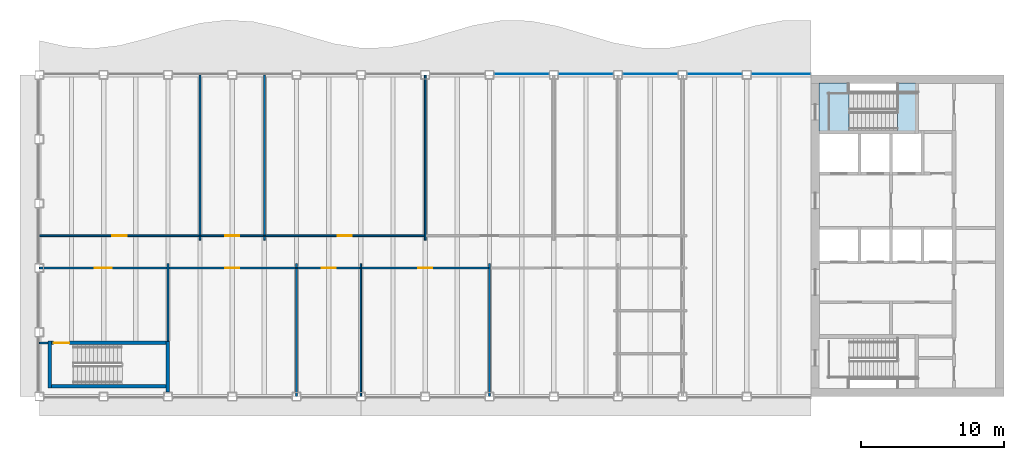
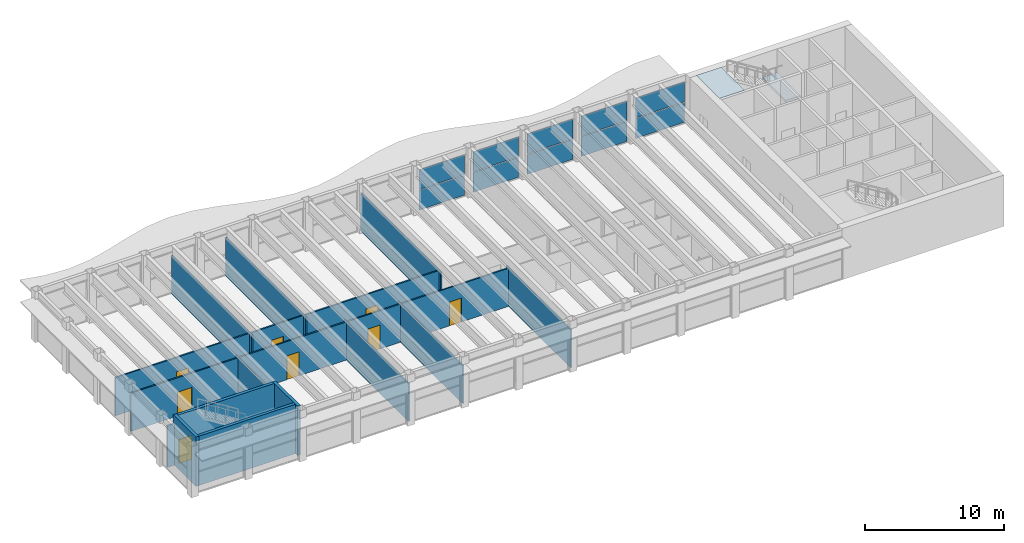
# One storey, part 8 of 14: 19 walls, 10 plates, 8 doors, 2 slabs, 8 openings, 6 elements without a shape of their own.
"""IFC4 building model written with IfcOpenShell, lengths in metres."""

from ifc_helpers import new_model, si_unit, direction, frame, frame_2d, origin, origin_2d, place, context, subcontext, project, spatial, polyline, rectangle, outline, extrude, material, layer, layer_set, type_object, element, fill, aggregate, save


model = new_model("IFC4")

# Units and contexts
model_context = context("Model", 3, precision=1e-05, world=origin(), true_north=direction((0.0, 1.0)))
body_context = subcontext(model_context, "Body", "Model", "MODEL_VIEW")
ifc_project = project(units=[si_unit("LENGTHUNIT", "METRE"), si_unit("AREAUNIT", "SQUARE_METRE"), si_unit("VOLUMEUNIT", "CUBIC_METRE"), si_unit("PLANEANGLEUNIT", "RADIAN"), si_unit("MASSUNIT", "GRAM", prefix="KILO")], contexts=[model_context])

# Site, building, storey
site_placement = place(None, origin())
site = spatial("IfcSite", under=ifc_project, at=site_placement, CompositionType="ELEMENT")
building_placement = place(site_placement, origin())
building = spatial("IfcBuilding", under=site, at=building_placement, Name="Sennacour Bend Tower", CompositionType="ELEMENT")
storey_placement = place(building_placement, frame((0.0, 0.0, 309.5)))
storey = spatial("IfcBuildingStorey", under=building, at=storey_placement, Name="L71", CompositionType="ELEMENT", Elevation=309.5)

# Curtain wall, plates
ifc_material_1 = material(Name="Bronze anodised aluminium curtain wall with clear glass", Category="aluminium")
curtain_wall_type = type_object("IfcCurtainWallType", Name="CURTAIN WALL EXEC", PredefinedType="NOTDEFINED", material=ifc_material_1)
curtain_wall_1_placement = place(storey_placement, origin())
curtain_wall_1 = element("IfcCurtainWall", 1, at=curtain_wall_1_placement, inside=storey, type_object=curtain_wall_type, Name="Executive floor glass wall L71", PredefinedType="NOTDEFINED")
ifc_material_2 = material(Name="Clear low-emissivity glass", Category="glass")
ifc_layer_1 = layer(ifc_material_2, 0.031982421875, Name="Clear low-emissivity glass", Category="glass")
ifc_layer_set_1 = layer_set([ifc_layer_1], Name="Clear low-emissivity glass")
plate_type = type_object("IfcPlateType", Name="PNL-GLASS-IGU32", PredefinedType="CURTAIN_PANEL", material=ifc_layer_set_1)
plate_1_placement = place(storey_placement, frame((51.89990234375, 22.574951171875, 0.06005859375), z_axis=(0.0, 0.0, 1.0), x_axis=(-1.0, 0.0, 0.0)))
plate_1 = element("IfcPlate", 2, at=plate_1_placement, type_object=plate_type, Name="GW3 curtain wall panel 1.1", PredefinedType="CURTAIN_PANEL", context=body_context, shape_type="SweptSolid", body=[
    extrude(rectangle(XDim=4.080078125, YDim=0.031982421875, at=origin_2d()), origin(), (0.0, 0.0, 1.0), 1.74609375),
])
plate_2_placement = place(storey_placement, frame((51.89990234375, 22.574951171875, 1.865966796875), z_axis=(0.0, 0.0, 1.0), x_axis=(-1.0, 0.0, 0.0)))
plate_2 = element("IfcPlate", 3, at=plate_2_placement, type_object=plate_type, Name="GW3 curtain wall panel 1.2", PredefinedType="CURTAIN_PANEL", context=body_context, shape_type="SweptSolid", body=[
    extrude(rectangle(XDim=4.080078125, YDim=0.031982421875, at=origin_2d()), origin(), (0.0, 0.0, 1.0), 1.74609375),
])
aggregate(curtain_wall_1, [plate_1, plate_2])

curtain_wall_2_placement = place(storey_placement, origin())
curtain_wall_2 = element("IfcCurtainWall", 4, at=curtain_wall_2_placement, inside=storey, type_object=curtain_wall_type, Name="Executive floor glass wall L71", PredefinedType="NOTDEFINED")
plate_3_placement = place(storey_placement, frame((47.25, 22.574951171875, 0.06005859375), z_axis=(0.0, 0.0, 1.0), x_axis=(-1.0, 0.0, 0.0)))
plate_3 = element("IfcPlate", 5, at=plate_3_placement, type_object=plate_type, Name="GW3 curtain wall panel 1.1", PredefinedType="CURTAIN_PANEL", context=body_context, shape_type="SweptSolid", body=[
    extrude(rectangle(XDim=3.780029296875, YDim=0.031982421875, at=origin_2d()), origin(), (0.0, 0.0, 1.0), 1.74609375),
])
plate_4_placement = place(storey_placement, frame((47.25, 22.574951171875, 1.865966796875), z_axis=(0.0, 0.0, 1.0), x_axis=(-1.0, 0.0, 0.0)))
plate_4 = element("IfcPlate", 6, at=plate_4_placement, type_object=plate_type, Name="GW3 curtain wall panel 1.2", PredefinedType="CURTAIN_PANEL", context=body_context, shape_type="SweptSolid", body=[
    extrude(rectangle(XDim=3.780029296875, YDim=0.031982421875, at=origin_2d()), origin(), (0.0, 0.0, 1.0), 1.74609375),
])
aggregate(curtain_wall_2, [plate_3, plate_4])

curtain_wall_3_placement = place(storey_placement, origin())
curtain_wall_3 = element("IfcCurtainWall", 7, at=curtain_wall_3_placement, inside=storey, type_object=curtain_wall_type, Name="Executive floor glass wall L71", PredefinedType="NOTDEFINED")
plate_5_placement = place(storey_placement, frame((42.75, 22.574951171875, 0.06005859375), z_axis=(0.0, 0.0, 1.0), x_axis=(-1.0, 0.0, 0.0)))
plate_5 = element("IfcPlate", 8, at=plate_5_placement, type_object=plate_type, Name="GW3 curtain wall panel 1.1", PredefinedType="CURTAIN_PANEL", context=body_context, shape_type="SweptSolid", body=[
    extrude(rectangle(XDim=3.780029296875, YDim=0.031982421875, at=origin_2d()), origin(), (0.0, 0.0, 1.0), 1.74609375),
])
plate_6_placement = place(storey_placement, frame((42.75, 22.574951171875, 1.865966796875), z_axis=(0.0, 0.0, 1.0), x_axis=(-1.0, 0.0, 0.0)))
plate_6 = element("IfcPlate", 9, at=plate_6_placement, type_object=plate_type, Name="GW3 curtain wall panel 1.2", PredefinedType="CURTAIN_PANEL", context=body_context, shape_type="SweptSolid", body=[
    extrude(rectangle(XDim=3.780029296875, YDim=0.031982421875, at=origin_2d()), origin(), (0.0, 0.0, 1.0), 1.74609375),
])
aggregate(curtain_wall_3, [plate_5, plate_6])

curtain_wall_4_placement = place(storey_placement, origin())
curtain_wall_4 = element("IfcCurtainWall", 10, at=curtain_wall_4_placement, inside=storey, type_object=curtain_wall_type, Name="Executive floor glass wall L71", PredefinedType="NOTDEFINED")
plate_7_placement = place(storey_placement, frame((38.25, 22.574951171875, 0.06005859375), z_axis=(0.0, 0.0, 1.0), x_axis=(-1.0, 0.0, 0.0)))
plate_7 = element("IfcPlate", 11, at=plate_7_placement, type_object=plate_type, Name="GW3 curtain wall panel 1.1", PredefinedType="CURTAIN_PANEL", context=body_context, shape_type="SweptSolid", body=[
    extrude(rectangle(XDim=3.780029296875, YDim=0.031982421875, at=origin_2d()), origin(), (0.0, 0.0, 1.0), 1.74609375),
])
plate_8_placement = place(storey_placement, frame((38.25, 22.574951171875, 1.865966796875), z_axis=(0.0, 0.0, 1.0), x_axis=(-1.0, 0.0, 0.0)))
plate_8 = element("IfcPlate", 12, at=plate_8_placement, type_object=plate_type, Name="GW3 curtain wall panel 1.2", PredefinedType="CURTAIN_PANEL", context=body_context, shape_type="SweptSolid", body=[
    extrude(rectangle(XDim=3.780029296875, YDim=0.031982421875, at=origin_2d()), origin(), (0.0, 0.0, 1.0), 1.74609375),
])
aggregate(curtain_wall_4, [plate_7, plate_8])

curtain_wall_5_placement = place(storey_placement, origin())
curtain_wall_5 = element("IfcCurtainWall", 13, at=curtain_wall_5_placement, inside=storey, type_object=curtain_wall_type, Name="Executive floor glass wall L71", PredefinedType="NOTDEFINED")
plate_9_placement = place(storey_placement, frame((33.75, 22.574951171875, 0.06005859375), z_axis=(0.0, 0.0, 1.0), x_axis=(-1.0, 0.0, 0.0)))
plate_9 = element("IfcPlate", 14, at=plate_9_placement, type_object=plate_type, Name="GW3 curtain wall panel 1.1", PredefinedType="CURTAIN_PANEL", context=body_context, shape_type="SweptSolid", body=[
    extrude(rectangle(XDim=3.780029296875, YDim=0.031982421875, at=origin_2d()), origin(), (0.0, 0.0, 1.0), 1.74609375),
])
plate_10_placement = place(storey_placement, frame((33.75, 22.574951171875, 1.865966796875), z_axis=(0.0, 0.0, 1.0), x_axis=(-1.0, 0.0, 0.0)))
plate_10 = element("IfcPlate", 15, at=plate_10_placement, type_object=plate_type, Name="GW3 curtain wall panel 1.2", PredefinedType="CURTAIN_PANEL", context=body_context, shape_type="SweptSolid", body=[
    extrude(rectangle(XDim=3.780029296875, YDim=0.031982421875, at=origin_2d()), origin(), (0.0, 0.0, 1.0), 1.74609375),
])
aggregate(curtain_wall_5, [plate_9, plate_10])

# Slab
ifc_material_3 = material(Name="Concrete C40/50", Category="concrete")
ifc_layer_2 = layer(ifc_material_3, 0.034912109375, Name="Concrete C40/50", Category="concrete")
ifc_layer_set_2 = layer_set([ifc_layer_2], Name="Concrete C40/50")
slab_type_1 = type_object("IfcSlabType", Name="Stair arrival nib 35", PredefinedType="FLOOR", material=ifc_layer_set_2)
slab_1_placement = place(storey_placement, frame((0.0, 0.0, 4.315185546875)))
element("IfcSlab", 16, at=slab_1_placement, inside=storey, type_object=slab_type_1, Name="L71 SA2 stair arrival nib", PredefinedType="FLOOR", context=body_context, shape_type="SweptSolid", body=[
    extrude(outline(polyline([(56.64208984375, 21.949951171875), (54.550048828125, 21.949951171875), (54.550048828125, 18.574951171875), (56.64208984375, 18.574951171875), (56.64208984375, 21.949951171875)])), origin(), (0.0, 0.0, 1.0), 0.034912109375),
])

# Stair, slab
stair_type = type_object("IfcStairType", Name="ST-DOGLEG", PredefinedType="HALF_TURN_STAIR", material=ifc_material_3)
stair_placement = place(storey_placement, origin())
stair = element("IfcStair", 17, at=stair_placement, inside=storey, type_object=stair_type, Name="L71 Exit stair A2", PredefinedType="HALF_TURN_STAIR")
ifc_layer_3 = layer(ifc_material_3, 0.199951171875, Name="Concrete C40/50", Category="concrete")
ifc_layer_set_3 = layer_set([ifc_layer_3], Name="Concrete C40/50")
slab_type_2 = type_object("IfcSlabType", Name="Stair landing 200", PredefinedType="LANDING", material=ifc_layer_set_3)
slab_2_placement = place(storey_placement, frame((0.0, 0.0, 2.050048828125)))
slab_2 = element("IfcSlab", 18, at=slab_2_placement, type_object=slab_type_2, Name="SA2 landing 1", PredefinedType="LANDING", context=body_context, shape_type="SweptSolid", body=[
    extrude(outline(polyline([(60.06005859375, 18.574951171875), (61.324951171875, 18.574951171875), (61.324951171875, 21.949951171875), (60.06005859375, 21.949951171875), (60.06005859375, 18.574951171875)])), origin(), (0.0, 0.0, 1.0), 0.199951171875),
])
aggregate(stair, [slab_2])

# Walls
ifc_material_4 = material(Name="Plasterboard partition on steel studs", Category="steel")
ifc_layer_4 = layer(ifc_material_4, 0.1201171875, Name="Plasterboard partition on steel studs", Category="steel")
ifc_layer_set_4 = layer_set([ifc_layer_4], Name="Plasterboard partition on steel studs")
wall_type_1 = type_object("IfcWallType", Name="Partition 120", PredefinedType="PARTITIONING", material=ifc_layer_set_4)
wall_1_placement = place(storey_placement, frame((9.0, 3.875, 0.0), z_axis=(0.0, 0.0, 1.0), x_axis=(0.0, 1.0, 0.0)))
element("IfcWall", 19, at=wall_1_placement, inside=storey, type_object=wall_type_1, Name="P-L71-W005a", PredefinedType="PARTITIONING", context=body_context, shape_type="SweptSolid", body=[
    extrude(rectangle(XDim=5.425048828125, YDim=0.1201171875, at=frame_2d((2.71240234375, 0.0))), origin(), (0.0, 0.0, 1.0), 3.35888671875),
])
for number, where, z_axis, x_axis, name in (
    (20, (11.25, 10.949951171875, 0.0), (0.0, 0.0, 1.0), (0.0, 1.0, 0.0), "P-L71-W006a"),
    (21, (15.75, 10.949951171875, 0.0), (0.0, 0.0, 1.0), (0.0, 1.0, 0.0), "P-L71-W007a"),
):
    element("IfcWall", number, at=place(storey_placement, frame(where, z_axis=z_axis, x_axis=x_axis)), inside=storey, type_object=wall_type_1, Name=name, PredefinedType="PARTITIONING", context=body_context, shape_type="SweptSolid", body=[
        extrude(rectangle(XDim=11.5400390625, YDim=0.1201171875, at=frame_2d((5.77001953125, 0.0))), origin(), (0.0, 0.0, 1.0), 3.35888671875),
    ])
for number, where, z_axis, x_axis, name in (
    (22, (18.0, 0.010009765625, 0.0), (0.0, 0.0, 1.0), (0.0, 1.0, 0.0), "P-L71-W008a"),
    (23, (22.5, 0.010009765625, 0.0), (0.0, 0.0, 1.0), (0.0, 1.0, 0.0), "P-L71-W009a"),
):
    element("IfcWall", number, at=place(storey_placement, frame(where, z_axis=z_axis, x_axis=x_axis)), inside=storey, type_object=wall_type_1, Name=name, PredefinedType="PARTITIONING", context=body_context, shape_type="SweptSolid", body=[
        extrude(rectangle(XDim=9.2900390625, YDim=0.1201171875, at=frame_2d((4.64501953125, 0.0))), origin(), (0.0, 0.0, 1.0), 3.35888671875),
    ])
wall_2_placement = place(storey_placement, frame((27.0, 10.949951171875, 0.0), z_axis=(0.0, 0.0, 1.0), x_axis=(0.0, 1.0, 0.0)))
element("IfcWall", 24, at=wall_2_placement, inside=storey, type_object=wall_type_1, Name="P-L71-W010a", PredefinedType="PARTITIONING", context=body_context, shape_type="SweptSolid", body=[
    extrude(rectangle(XDim=11.5400390625, YDim=0.1201171875, at=frame_2d((5.77001953125, 0.0))), origin(), (0.0, 0.0, 1.0), 3.35888671875),
])
wall_3_placement = place(storey_placement, frame((31.5, 0.010009765625, 0.0), z_axis=(0.0, 0.0, 1.0), x_axis=(0.0, 1.0, 0.0)))
element("IfcWall", 25, at=wall_3_placement, inside=storey, type_object=wall_type_1, Name="P-L71-W011a", PredefinedType="PARTITIONING", context=body_context, shape_type="SweptSolid", body=[
    extrude(rectangle(XDim=9.2900390625, YDim=0.1201171875, at=frame_2d((4.64501953125, 0.0))), origin(), (0.0, 0.0, 1.0), 3.35888671875),
])
wall_4_placement = place(storey_placement, frame((0.010009765625, 3.75, 0.0), z_axis=(0.0, 0.0, 1.0), x_axis=(1.0, 0.0, 0.0)))
element("IfcWall", 26, at=wall_4_placement, inside=storey, type_object=wall_type_1, Name="P-L71-W033a", PredefinedType="PARTITIONING", context=body_context, shape_type="SweptSolid", body=[
    extrude(rectangle(XDim=0.590087890625, YDim=0.1201171875, at=frame_2d((0.294921875, 0.0))), origin(), (0.0, 0.0, 1.0), 3.672119140625),
])

# Wall, opening, door
wall_5_placement = place(storey_placement, frame((9.06005859375, 9.0, 0.0), z_axis=(0.0, 0.0, 1.0), x_axis=(1.0, 0.0, 0.0)))
wall_5 = element("IfcWall", 27, at=wall_5_placement, inside=storey, type_object=wall_type_1, Name="P-L71-W039ab", PredefinedType="PARTITIONING", context=body_context, shape_type="SweptSolid", body=[
    extrude(rectangle(XDim=8.8798828125, YDim=0.1201171875, at=frame_2d((4.43994140625, 0.0))), origin(), (0.0, 0.0, 1.0), 3.35888671875),
])
opening_1_placement = place(wall_5_placement, frame((3.93994140625, 0.0, 0.0)))
opening_1 = element("IfcOpeningElement", 28, at=opening_1_placement, cuts=wall_5, Name="Opening OD2", PredefinedType="OPENING", context=body_context, shape_type="SweptSolid", body=[
    extrude(rectangle(XDim=1.0, YDim=2.10009765625, at=frame_2d((0.5, 1.050048828125))), frame((0.0, 0.070068359375, 0.0), z_axis=(0.0, -1.0, 0.0), x_axis=(1.0, 0.0, 0.0)), (0.0, 0.0, 1.0), 0.14013671875),
])
ifc_material_5 = material(Name="Timber", Category="wood")
door_type_1 = type_object("IfcDoorType", Name="DR-OFFICE-1000", OperationType="NOTDEFINED", PredefinedType="DOOR", material=ifc_material_5)
door_1_placement = place(opening_1_placement, origin())
door_1 = element("IfcDoor", 29, at=door_1_placement, inside=storey, type_object=door_type_1, Name="Door", OperationType="SINGLE_SWING_LEFT", OverallHeight=2.10009765625, OverallWidth=1.0, PredefinedType="DOOR", context=body_context, shape_type="SweptSolid", body=[
    extrude(rectangle(XDim=1.0, YDim=2.10009765625, at=frame_2d((0.5, 1.050048828125))), frame((0.0, 0.02490234375, 0.0), z_axis=(0.0, -1.0, 0.0), x_axis=(1.0, 0.0, 0.0)), (0.0, 0.0, 1.0), 0.050048828125),
])
fill(opening_1, door_1)

wall_6_placement = place(storey_placement, frame((18.06005859375, 9.0, 0.0), z_axis=(0.0, 0.0, 1.0), x_axis=(1.0, 0.0, 0.0)))
wall_6 = element("IfcWall", 30, at=wall_6_placement, inside=storey, type_object=wall_type_1, Name="P-L71-W039ac", PredefinedType="PARTITIONING", context=body_context, shape_type="SweptSolid", body=[
    extrude(rectangle(XDim=4.3798828125, YDim=0.1201171875, at=frame_2d((2.18994140625, 0.0))), origin(), (0.0, 0.0, 1.0), 3.35888671875),
])
opening_2_placement = place(wall_6_placement, frame((1.68994140625, 0.0, 0.0)))
opening_2 = element("IfcOpeningElement", 31, at=opening_2_placement, cuts=wall_6, Name="Opening OD2", PredefinedType="OPENING", context=body_context, shape_type="SweptSolid", body=[
    extrude(rectangle(XDim=1.0, YDim=2.10009765625, at=frame_2d((0.5, 1.050048828125))), frame((0.0, 0.070068359375, 0.0), z_axis=(0.0, -1.0, 0.0), x_axis=(1.0, 0.0, 0.0)), (0.0, 0.0, 1.0), 0.14013671875),
])
door_2_placement = place(opening_2_placement, origin())
door_2 = element("IfcDoor", 32, at=door_2_placement, inside=storey, type_object=door_type_1, Name="Door", OperationType="SINGLE_SWING_LEFT", OverallHeight=2.10009765625, OverallWidth=1.0, PredefinedType="DOOR", context=body_context, shape_type="SweptSolid", body=[
    extrude(rectangle(XDim=1.0, YDim=2.10009765625, at=frame_2d((0.5, 1.050048828125))), frame((0.0, 0.02490234375, 0.0), z_axis=(0.0, -1.0, 0.0), x_axis=(1.0, 0.0, 0.0)), (0.0, 0.0, 1.0), 0.050048828125),
])
fill(opening_2, door_2)

wall_7_placement = place(storey_placement, frame((22.56005859375, 9.0, 0.0), z_axis=(0.0, 0.0, 1.0), x_axis=(1.0, 0.0, 0.0)))
wall_7 = element("IfcWall", 33, at=wall_7_placement, inside=storey, type_object=wall_type_1, Name="P-L71-W039ad", PredefinedType="PARTITIONING", context=body_context, shape_type="SweptSolid", body=[
    extrude(rectangle(XDim=8.8798828125, YDim=0.1201171875, at=frame_2d((4.43994140625, 0.0))), origin(), (0.0, 0.0, 1.0), 3.35888671875),
])
opening_3_placement = place(wall_7_placement, frame((3.93994140625, 0.0, 0.0)))
opening_3 = element("IfcOpeningElement", 34, at=opening_3_placement, cuts=wall_7, Name="Opening OD2", PredefinedType="OPENING", context=body_context, shape_type="SweptSolid", body=[
    extrude(rectangle(XDim=1.0, YDim=2.10009765625, at=frame_2d((0.5, 1.050048828125))), frame((0.0, 0.070068359375, 0.0), z_axis=(0.0, -1.0, 0.0), x_axis=(1.0, 0.0, 0.0)), (0.0, 0.0, 1.0), 0.14013671875),
])
door_3_placement = place(opening_3_placement, origin())
door_3 = element("IfcDoor", 35, at=door_3_placement, inside=storey, type_object=door_type_1, Name="Door", OperationType="SINGLE_SWING_LEFT", OverallHeight=2.10009765625, OverallWidth=1.0, PredefinedType="DOOR", context=body_context, shape_type="SweptSolid", body=[
    extrude(rectangle(XDim=1.0, YDim=2.10009765625, at=frame_2d((0.5, 1.050048828125))), frame((0.0, 0.02490234375, 0.0), z_axis=(0.0, -1.0, 0.0), x_axis=(1.0, 0.0, 0.0)), (0.0, 0.0, 1.0), 0.050048828125),
])
fill(opening_3, door_3)

wall_8_placement = place(storey_placement, frame((0.010009765625, 11.25, 0.0), z_axis=(0.0, 0.0, 1.0), x_axis=(1.0, 0.0, 0.0)))
wall_8 = element("IfcWall", 36, at=wall_8_placement, inside=storey, type_object=wall_type_1, Name="P-L71-W042aa", PredefinedType="PARTITIONING", context=body_context, shape_type="SweptSolid", body=[
    extrude(rectangle(XDim=11.179931640625, YDim=0.1201171875, at=frame_2d((5.58984375, 0.0))), origin(), (0.0, 0.0, 1.0), 3.35888671875),
])
opening_4_placement = place(wall_8_placement, frame((5.10009765625, 0.0, 0.0)))
opening_4 = element("IfcOpeningElement", 37, at=opening_4_placement, cuts=wall_8, Name="Opening OD2", PredefinedType="OPENING", context=body_context, shape_type="SweptSolid", body=[
    extrude(rectangle(XDim=1.0, YDim=2.10009765625, at=frame_2d((0.5, 1.050048828125))), frame((0.0, 0.070068359375, 0.0), z_axis=(0.0, -1.0, 0.0), x_axis=(1.0, 0.0, 0.0)), (0.0, 0.0, 1.0), 0.14013671875),
])
door_4_placement = place(opening_4_placement, origin())
door_4 = element("IfcDoor", 38, at=door_4_placement, inside=storey, type_object=door_type_1, Name="Door", OperationType="SINGLE_SWING_RIGHT", OverallHeight=2.10009765625, OverallWidth=1.0, PredefinedType="DOOR", context=body_context, shape_type="SweptSolid", body=[
    extrude(rectangle(XDim=1.0, YDim=2.10009765625, at=frame_2d((0.5, 1.050048828125))), frame((0.0, 0.02490234375, 0.0), z_axis=(0.0, -1.0, 0.0), x_axis=(1.0, 0.0, 0.0)), (0.0, 0.0, 1.0), 0.050048828125),
])
fill(opening_4, door_4)

wall_9_placement = place(storey_placement, frame((11.31005859375, 11.25, 0.0), z_axis=(0.0, 0.0, 1.0), x_axis=(1.0, 0.0, 0.0)))
wall_9 = element("IfcWall", 39, at=wall_9_placement, inside=storey, type_object=wall_type_1, Name="P-L71-W042ab", PredefinedType="PARTITIONING", context=body_context, shape_type="SweptSolid", body=[
    extrude(rectangle(XDim=4.3798828125, YDim=0.1201171875, at=frame_2d((2.18994140625, 0.0))), origin(), (0.0, 0.0, 1.0), 3.35888671875),
])
opening_5_placement = place(wall_9_placement, frame((1.68994140625, 0.0, 0.0)))
opening_5 = element("IfcOpeningElement", 40, at=opening_5_placement, cuts=wall_9, Name="Opening OD2", PredefinedType="OPENING", context=body_context, shape_type="SweptSolid", body=[
    extrude(rectangle(XDim=1.0, YDim=2.10009765625, at=frame_2d((0.5, 1.050048828125))), frame((0.0, 0.070068359375, 0.0), z_axis=(0.0, -1.0, 0.0), x_axis=(1.0, 0.0, 0.0)), (0.0, 0.0, 1.0), 0.14013671875),
])
door_5_placement = place(opening_5_placement, origin())
door_5 = element("IfcDoor", 41, at=door_5_placement, inside=storey, type_object=door_type_1, Name="Door", OperationType="SINGLE_SWING_LEFT", OverallHeight=2.10009765625, OverallWidth=1.0, PredefinedType="DOOR", context=body_context, shape_type="SweptSolid", body=[
    extrude(rectangle(XDim=1.0, YDim=2.10009765625, at=frame_2d((0.5, 1.050048828125))), frame((0.0, 0.02490234375, 0.0), z_axis=(0.0, -1.0, 0.0), x_axis=(1.0, 0.0, 0.0)), (0.0, 0.0, 1.0), 0.050048828125),
])
fill(opening_5, door_5)

wall_10_placement = place(storey_placement, frame((15.81005859375, 11.25, 0.0), z_axis=(0.0, 0.0, 1.0), x_axis=(1.0, 0.0, 0.0)))
wall_10 = element("IfcWall", 42, at=wall_10_placement, inside=storey, type_object=wall_type_1, Name="P-L71-W042ac", PredefinedType="PARTITIONING", context=body_context, shape_type="SweptSolid", body=[
    extrude(rectangle(XDim=11.1298828125, YDim=0.1201171875, at=frame_2d((5.56494140625, 0.0))), origin(), (0.0, 0.0, 1.0), 3.35888671875),
])
opening_6_placement = place(wall_10_placement, frame((5.06494140625, 0.0, 0.0)))
opening_6 = element("IfcOpeningElement", 43, at=opening_6_placement, cuts=wall_10, Name="Opening OD2", PredefinedType="OPENING", context=body_context, shape_type="SweptSolid", body=[
    extrude(rectangle(XDim=1.0, YDim=2.10009765625, at=frame_2d((0.5, 1.050048828125))), frame((0.0, 0.070068359375, 0.0), z_axis=(0.0, -1.0, 0.0), x_axis=(1.0, 0.0, 0.0)), (0.0, 0.0, 1.0), 0.14013671875),
])
door_6_placement = place(opening_6_placement, origin())
door_6 = element("IfcDoor", 44, at=door_6_placement, inside=storey, type_object=door_type_1, Name="Door", OperationType="SINGLE_SWING_LEFT", OverallHeight=2.10009765625, OverallWidth=1.0, PredefinedType="DOOR", context=body_context, shape_type="SweptSolid", body=[
    extrude(rectangle(XDim=1.0, YDim=2.10009765625, at=frame_2d((0.5, 1.050048828125))), frame((0.0, 0.02490234375, 0.0), z_axis=(0.0, -1.0, 0.0), x_axis=(1.0, 0.0, 0.0)), (0.0, 0.0, 1.0), 0.050048828125),
])
fill(opening_6, door_6)

ifc_layer_5 = layer(ifc_material_4, 0.1201171875, Name="Plasterboard partition on steel studs", Category="steel")
ifc_layer_set_5 = layer_set([ifc_layer_5], Name="Plasterboard partition on steel studs")
wall_type_2 = type_object("IfcWallType", Name="Partition 120 EI 30", PredefinedType="PARTITIONING", material=ifc_layer_set_5)
wall_11_placement = place(storey_placement, frame((0.010009765625, 9.0, 0.0), z_axis=(0.0, 0.0, 1.0), x_axis=(1.0, 0.0, 0.0)))
wall_11 = element("IfcWall", 45, at=wall_11_placement, inside=storey, type_object=wall_type_2, Name="P-L71-W039aa", PredefinedType="PARTITIONING", context=body_context, shape_type="SweptSolid", body=[
    extrude(rectangle(XDim=8.929931640625, YDim=0.1201171875, at=frame_2d((4.46484375, 0.0))), origin(), (0.0, 0.0, 1.0), 3.35888671875),
])
opening_7_placement = place(wall_11_placement, frame((3.875, 0.0, 0.0)))
opening_7 = element("IfcOpeningElement", 46, at=opening_7_placement, cuts=wall_11, Name="Opening KD2", PredefinedType="OPENING", context=body_context, shape_type="SweptSolid", body=[
    extrude(rectangle(XDim=1.199951171875, YDim=2.10009765625, at=frame_2d((0.60009765625, 1.050048828125))), frame((0.0, 0.070068359375, 0.0), z_axis=(0.0, -1.0, 0.0), x_axis=(1.0, 0.0, 0.0)), (0.0, 0.0, 1.0), 0.14013671875),
])
ifc_material_6 = material(Name="Painted steel", Category="steel")
door_type_2 = type_object("IfcDoorType", Name="DR-CORRIDOR-1200", OperationType="NOTDEFINED", PredefinedType="DOOR", material=ifc_material_6)
door_7_placement = place(opening_7_placement, origin())
door_7 = element("IfcDoor", 47, at=door_7_placement, inside=storey, type_object=door_type_2, Name="Door", OperationType="SINGLE_SWING_RIGHT", OverallHeight=2.10009765625, OverallWidth=1.199951171875, PredefinedType="DOOR", context=body_context, shape_type="SweptSolid", body=[
    extrude(rectangle(XDim=1.199951171875, YDim=2.10009765625, at=frame_2d((0.60009765625, 1.050048828125))), frame((0.0, 0.02490234375, 0.0), z_axis=(0.0, -1.0, 0.0), x_axis=(1.0, 0.0, 0.0)), (0.0, 0.0, 1.0), 0.050048828125),
])
fill(opening_7, door_7)

# Walls
ifc_material_7 = material(Name="Concrete C60/75", Category="concrete")
ifc_layer_6 = layer(ifc_material_7, 0.25, Name="Concrete C60/75", Category="concrete")
ifc_layer_set_6 = layer_set([ifc_layer_6], Name="Concrete C60/75")
wall_type_3 = type_object("IfcWallType", Name="Stair wall 250", PredefinedType="SHEAR", material=ifc_layer_set_6)
wall_12_placement = place(storey_placement, frame((0.72509765625, 0.60009765625, 0.0), z_axis=(0.0, 0.0, 1.0), x_axis=(0.0, 1.0, 0.0)))
element("IfcWall", 48, at=wall_12_placement, inside=storey, type_object=wall_type_3, Name="P-L71-W002", PredefinedType="SHEAR", context=body_context, shape_type="SweptSolid", body=[
    extrude(rectangle(XDim=3.27490234375, YDim=0.25, at=frame_2d((1.637451171875, 0.0))), origin(), (0.0, 0.0, 1.0), 4.35009765625),
])
wall_13_placement = place(storey_placement, frame((9.0, 0.300048828125, 0.0), z_axis=(0.0, 0.0, 1.0), x_axis=(0.0, 1.0, 0.0)))
element("IfcWall", 49, at=wall_13_placement, inside=storey, type_object=wall_type_3, Name="P-L71-W004", PredefinedType="SHEAR", context=body_context, shape_type="SweptSolid", body=[
    extrude(rectangle(XDim=3.574951171875, YDim=0.25, at=frame_2d((1.78759765625, 0.0))), origin(), (0.0, 0.0, 1.0), 4.35009765625),
])
wall_14_placement = place(storey_placement, frame((0.85009765625, 0.72509765625, 0.0), z_axis=(0.0, 0.0, 1.0), x_axis=(1.0, 0.0, 0.0)))
element("IfcWall", 50, at=wall_14_placement, inside=storey, type_object=wall_type_3, Name="P-L71-W030", PredefinedType="SHEAR", context=body_context, shape_type="SweptSolid", body=[
    extrude(rectangle(XDim=8.02490234375, YDim=0.25, at=frame_2d((4.012451171875, 0.0))), origin(), (0.0, 0.0, 1.0), 4.35009765625),
])

# Wall, opening, door
wall_15_placement = place(storey_placement, frame((0.85009765625, 3.75, 0.0), z_axis=(0.0, 0.0, 1.0), x_axis=(1.0, 0.0, 0.0)))
wall_15 = element("IfcWall", 51, at=wall_15_placement, inside=storey, type_object=wall_type_3, Name="P-L71-W034", PredefinedType="SHEAR", context=body_context, shape_type="SweptSolid", body=[
    extrude(rectangle(XDim=8.02490234375, YDim=0.25, at=frame_2d((4.012451171875, 0.0))), origin(), (0.0, 0.0, 1.0), 4.35009765625),
])
opening_8_placement = place(wall_15_placement, frame((0.14990234375, 0.0, 0.0)))
opening_8 = element("IfcOpeningElement", 52, at=opening_8_placement, cuts=wall_15, Name="Opening SD", PredefinedType="OPENING", context=body_context, shape_type="SweptSolid", body=[
    extrude(rectangle(XDim=1.10009765625, YDim=2.10009765625, at=frame_2d((0.550048828125, 1.050048828125))), frame((0.0, 0.135009765625, 0.0), z_axis=(0.0, -1.0, 0.0), x_axis=(1.0, 0.0, 0.0)), (0.0, 0.0, 1.0), 0.27001953125),
])
door_type_3 = type_object("IfcDoorType", Name="DR-STAIR-1100", OperationType="NOTDEFINED", PredefinedType="DOOR", material=ifc_material_6)
door_8_placement = place(opening_8_placement, origin())
door_8 = element("IfcDoor", 53, at=door_8_placement, inside=storey, type_object=door_type_3, Name="Door", OperationType="SINGLE_SWING_LEFT", OverallHeight=2.10009765625, OverallWidth=1.10009765625, PredefinedType="DOOR", context=body_context, shape_type="SweptSolid", body=[
    extrude(rectangle(XDim=1.10009765625, YDim=2.10009765625, at=frame_2d((0.550048828125, 1.050048828125))), frame((0.0, 0.02490234375, 0.0), z_axis=(0.0, -1.0, 0.0), x_axis=(1.0, 0.0, 0.0)), (0.0, 0.0, 1.0), 0.050048828125),
])
fill(opening_8, door_8)

save(model, "model.ifc")
